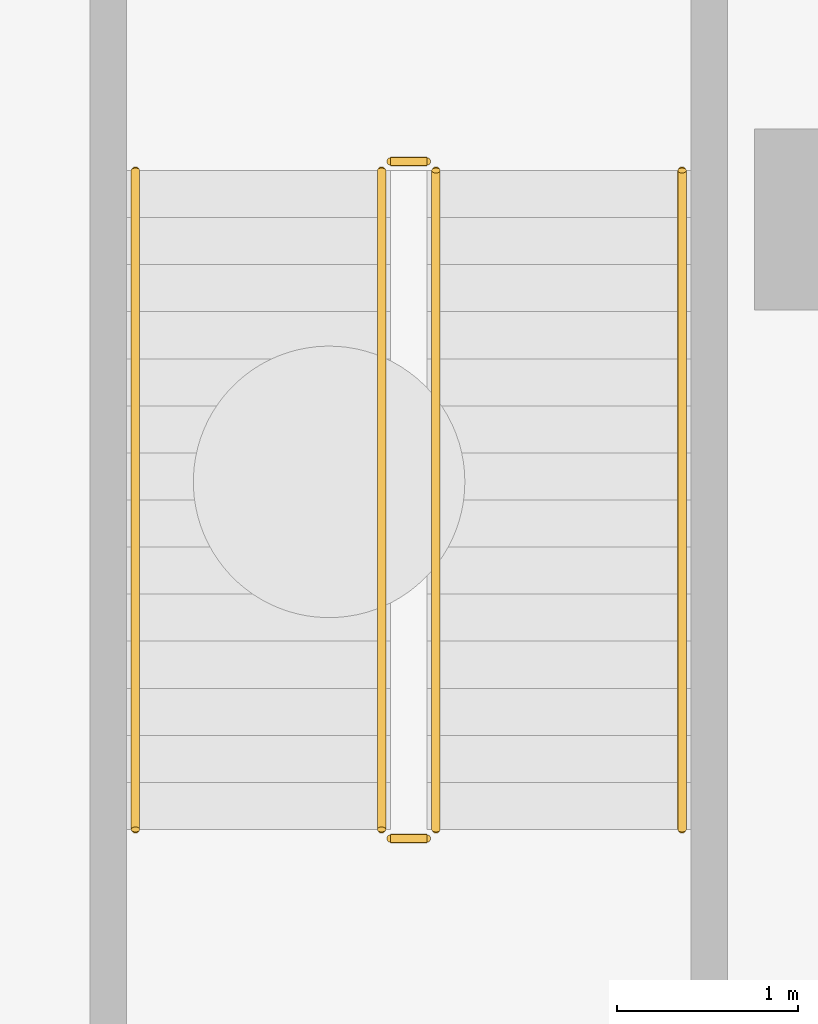
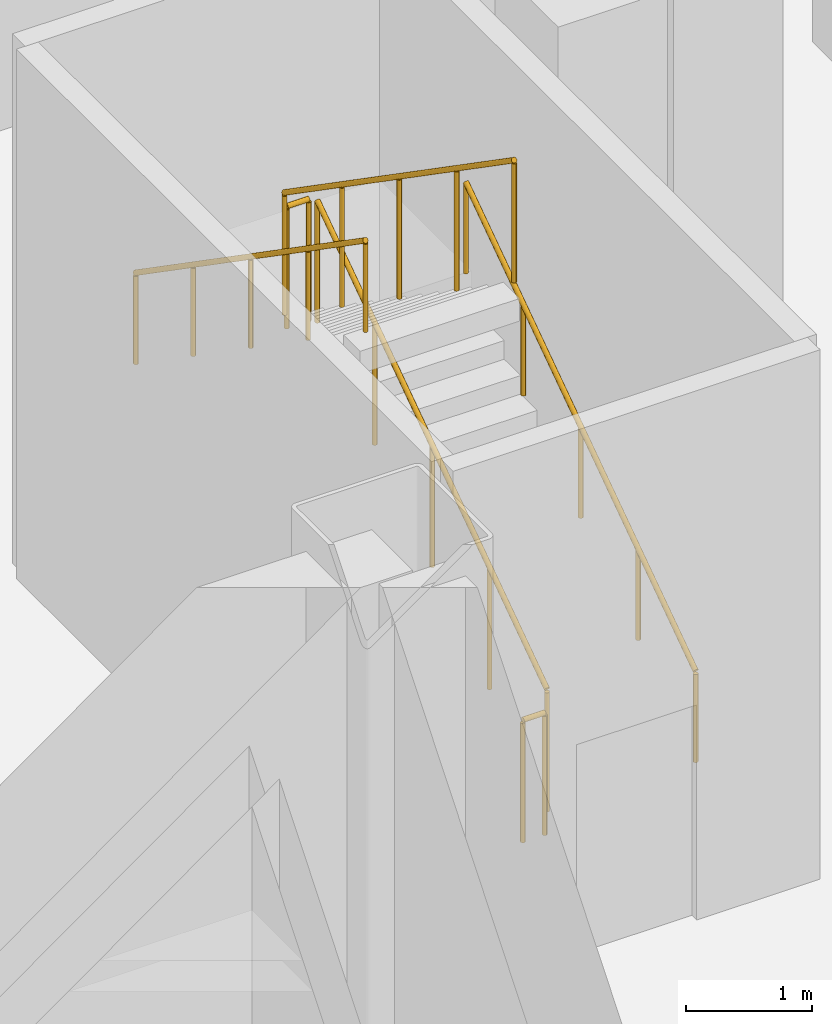
# One storey, part 7 of 8: 6 railings.
"""IFC4 building model written with IfcOpenShell, lengths in metres."""

from ifc_helpers import new_model, si_unit, direction, frame, origin, origin_2d, place, context, subcontext, project, spatial, circle, extrude, material, layer, layer_set, type_object, element, save


model = new_model("IFC4")

# Units and contexts
model_context = context("Model", 3, precision=1e-05, world=origin(), true_north=direction((0.0, 1.0)))
body_context = subcontext(model_context, "Body", "Model", "MODEL_VIEW")
ifc_project = project(units=[si_unit("LENGTHUNIT", "METRE"), si_unit("AREAUNIT", "SQUARE_METRE"), si_unit("VOLUMEUNIT", "CUBIC_METRE"), si_unit("PLANEANGLEUNIT", "RADIAN"), si_unit("MASSUNIT", "GRAM", prefix="KILO")], contexts=[model_context])

# Site, building, storey
site_placement = place(None, origin())
site = spatial("IfcSite", under=ifc_project, at=site_placement, CompositionType="ELEMENT")
building_placement = place(site_placement, origin())
building = spatial("IfcBuilding", under=site, at=building_placement, Name="Noeulbin Bourse Tower", CompositionType="ELEMENT")
storey_placement = place(building_placement, frame((0.0, 0.0, -15.60009765625)))
storey = spatial("IfcBuildingStorey", under=building, at=storey_placement, Name="B03", CompositionType="ELEMENT", Elevation=-15.60009765625)

# Railings
ifc_material_1 = material(Name="Painted Tubular Steel S355", Category="steel")
ifc_layer_1 = layer(ifc_material_1, 0.048095703125)
ifc_layer_set_1 = layer_set([ifc_layer_1], Name="Painted Tubular Steel S355")
railing_type_1 = type_object("IfcRailingType", Name="RLG-STR-GRD", PredefinedType="GUARDRAIL", material=ifc_layer_set_1)
railing_1_placement = place(storey_placement, frame((46.7900390625, 40.679931640625, 0.18017578125)))
element("IfcRailing", 1, at=railing_1_placement, inside=storey, type_object=railing_type_1, Name="B03 ST-S3 stair guard 1", PredefinedType="GUARDRAIL", context=body_context, shape_type="SweptSolid", body=[
    extrude(circle(Radius=0.02392578125, at=origin_2d()), frame((0.0, 0.0, 1.17578125), z_axis=(0.0, 0.82220013233, 0.56919850878), x_axis=(-1.0, 0.0, 0.0)), (0.0, 0.0, 1.0), 4.42724609375),
    extrude(circle(Radius=0.02099609375, at=origin_2d()), origin(), (0.0, 0.0, 1.0), 1.15185546875),
    extrude(circle(Radius=0.02099609375, at=origin_2d()), frame((0.0, 0.91015625, 0.6298828125)), (0.0, 0.0, 1.0), 1.15185546875),
    extrude(circle(Radius=0.02099609375, at=origin_2d()), frame((0.0, 1.820068359375, 1.260009765625)), (0.0, 0.0, 1.0), 1.15185546875),
    extrude(circle(Radius=0.02099609375, at=origin_2d()), frame((0.0, 2.72998046875, 1.89013671875)), (0.0, 0.0, 1.0), 1.15185546875),
    extrude(circle(Radius=0.02099609375, at=origin_2d()), frame((0.0, 3.64013671875, 2.52001953125)), (0.0, 0.0, 1.0), 1.15185546875),
])
railing_2_placement = place(storey_placement, frame((46.739990234375, 44.3701171875, 2.7001953125)))
element("IfcRailing", 2, at=railing_2_placement, inside=storey, type_object=railing_type_1, Name="B03 ST-S3 stair guard 2", PredefinedType="GUARDRAIL", context=body_context, shape_type="SweptSolid", body=[
    extrude(circle(Radius=0.02392578125, at=origin_2d()), frame((0.0, 0.0, 1.17578125), z_axis=(-1.0, 0.0, 0.0), x_axis=(0.0, -1.0, 0.0)), (0.0, 0.0, 1.0), 0.199951171875),
    extrude(circle(Radius=0.02099609375, at=origin_2d()), origin(), (0.0, 0.0, 1.0), 1.15185546875),
    extrude(circle(Radius=0.02099609375, at=origin_2d()), frame((-0.199951171875, 0.0, 0.0)), (0.0, 0.0, 1.0), 1.15185546875),
])
railing_3_placement = place(storey_placement, frame((46.489990234375, 44.320068359375, 2.880126953125)))
element("IfcRailing", 3, at=railing_3_placement, inside=storey, type_object=railing_type_1, Name="B03 ST-S3 stair guard 3", PredefinedType="GUARDRAIL", context=body_context, shape_type="SweptSolid", body=[
    extrude(circle(Radius=0.02392578125, at=origin_2d()), frame((0.0, 0.0, 1.17578125), z_axis=(0.0, -0.82220013233, 0.56919850878), x_axis=(1.0, 0.0, 0.0)), (0.0, 0.0, 1.0), 4.42724609375),
    extrude(circle(Radius=0.02099609375, at=origin_2d()), origin(), (0.0, 0.0, 1.0), 1.15185546875),
    extrude(circle(Radius=0.02099609375, at=origin_2d()), frame((0.0, -0.91015625, 0.6298828125)), (0.0, 0.0, 1.0), 1.15185546875),
    extrude(circle(Radius=0.02099609375, at=origin_2d()), frame((0.0, -1.820068359375, 1.260009765625)), (0.0, 0.0, 1.0), 1.15185546875),
    extrude(circle(Radius=0.02099609375, at=origin_2d()), frame((0.0, -2.72998046875, 1.89013671875)), (0.0, 0.0, 1.0), 1.15185546875),
    extrude(circle(Radius=0.02099609375, at=origin_2d()), frame((0.0, -3.64013671875, 2.52001953125)), (0.0, 0.0, 1.0), 1.15185546875),
])
railing_4_placement = place(storey_placement, frame((46.739990234375, 40.6298828125, 0.0)))
element("IfcRailing", 4, at=railing_4_placement, inside=storey, type_object=railing_type_1, Name="B03 ST-S3 stair guard 4", PredefinedType="GUARDRAIL", context=body_context, shape_type="SweptSolid", body=[
    extrude(circle(Radius=0.02392578125, at=origin_2d()), frame((0.0, 0.0, 1.17578125), z_axis=(-1.0, 0.0, 0.0), x_axis=(0.0, -1.0, 0.0)), (0.0, 0.0, 1.0), 0.199951171875),
    extrude(circle(Radius=0.02099609375, at=origin_2d()), origin(), (0.0, 0.0, 1.0), 1.15185546875),
    extrude(circle(Radius=0.02099609375, at=origin_2d()), frame((-0.199951171875, 0.0, 0.0)), (0.0, 0.0, 1.0), 1.15185546875),
])
ifc_material_2 = material(Name="Brushed Stainless Steel 316", Category="steel")
ifc_layer_2 = layer(ifc_material_2, 0.048095703125)
ifc_layer_set_2 = layer_set([ifc_layer_2], Name="Brushed Stainless Steel 316")
railing_type_2 = type_object("IfcRailingType", Name="RLG-STR-HND", PredefinedType="HANDRAIL", material=ifc_layer_set_2)
railing_5_placement = place(storey_placement, frame((48.14990234375, 40.679931640625, 0.18017578125)))
element("IfcRailing", 5, at=railing_5_placement, inside=storey, type_object=railing_type_2, Name="B03 ST-S3 stair handrail 1", PredefinedType="HANDRAIL", context=body_context, shape_type="SweptSolid", body=[
    extrude(circle(Radius=0.02392578125, at=origin_2d()), frame((0.0, 0.0, 0.8759765625), z_axis=(0.0, 0.82220013233, 0.56919850878), x_axis=(-1.0, 0.0, 0.0)), (0.0, 0.0, 1.0), 4.42724609375),
    extrude(circle(Radius=0.02099609375, at=origin_2d()), origin(), (0.0, 0.0, 1.0), 0.851806640625),
    extrude(circle(Radius=0.02099609375, at=origin_2d()), frame((0.0, 0.91015625, 0.6298828125)), (0.0, 0.0, 1.0), 0.851806640625),
    extrude(circle(Radius=0.02099609375, at=origin_2d()), frame((0.0, 1.820068359375, 1.260009765625)), (0.0, 0.0, 1.0), 0.851806640625),
    extrude(circle(Radius=0.02099609375, at=origin_2d()), frame((0.0, 2.72998046875, 1.89013671875)), (0.0, 0.0, 1.0), 0.851806640625),
    extrude(circle(Radius=0.02099609375, at=origin_2d()), frame((0.0, 3.64013671875, 2.52001953125)), (0.0, 0.0, 1.0), 0.851806640625),
])
railing_6_placement = place(storey_placement, frame((45.1298828125, 44.320068359375, 2.880126953125)))
element("IfcRailing", 6, at=railing_6_placement, inside=storey, type_object=railing_type_2, Name="B03 ST-S3 stair handrail 2", PredefinedType="HANDRAIL", context=body_context, shape_type="SweptSolid", body=[
    extrude(circle(Radius=0.02392578125, at=origin_2d()), frame((0.0, 0.0, 0.8759765625), z_axis=(0.0, -0.82220013233, 0.56919850878), x_axis=(1.0, 0.0, 0.0)), (0.0, 0.0, 1.0), 4.42724609375),
    extrude(circle(Radius=0.02099609375, at=origin_2d()), origin(), (0.0, 0.0, 1.0), 0.851806640625),
    extrude(circle(Radius=0.02099609375, at=origin_2d()), frame((0.0, -0.91015625, 0.6298828125)), (0.0, 0.0, 1.0), 0.851806640625),
    extrude(circle(Radius=0.02099609375, at=origin_2d()), frame((0.0, -1.820068359375, 1.260009765625)), (0.0, 0.0, 1.0), 0.851806640625),
    extrude(circle(Radius=0.02099609375, at=origin_2d()), frame((0.0, -2.72998046875, 1.89013671875)), (0.0, 0.0, 1.0), 0.851806640625),
    extrude(circle(Radius=0.02099609375, at=origin_2d()), frame((0.0, -3.64013671875, 2.52001953125)), (0.0, 0.0, 1.0), 0.851806640625),
])

save(model, "model.ifc")
